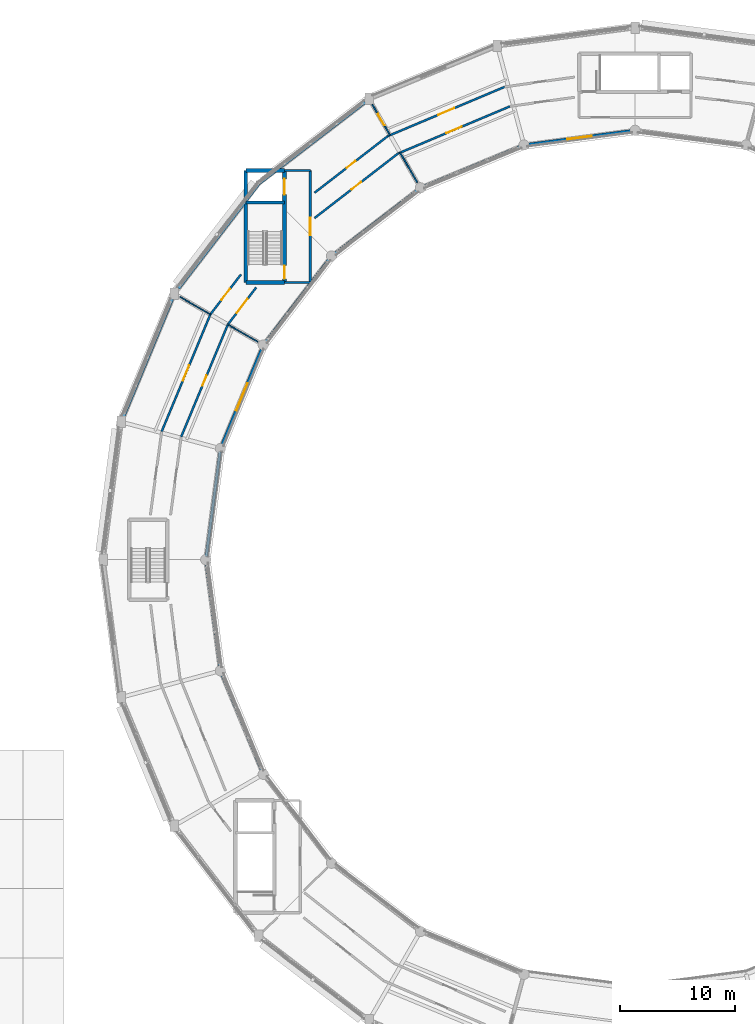
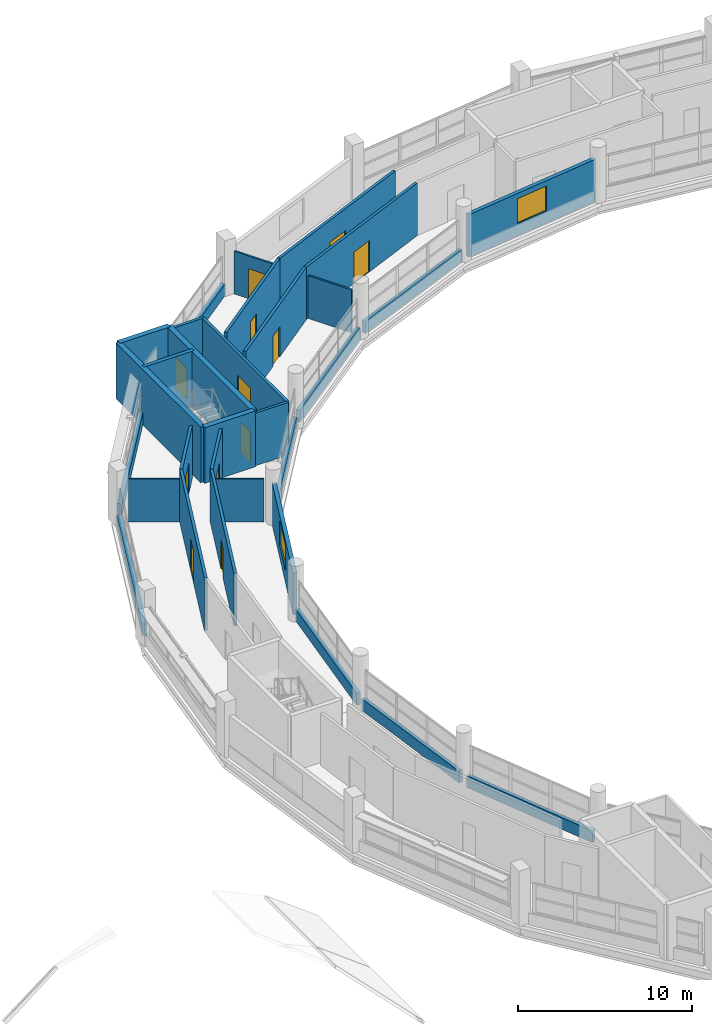
# One storey, part 46 of 53: 31 walls, 12 doors, 2 windows, 14 openings.
"""IFC4 building model written with IfcOpenShell, lengths in metres."""

from ifc_helpers import new_model, si_unit, direction, frame, frame_2d, origin, place, context, subcontext, project, spatial, rectangle, extrude, material, layer, layer_set, type_object, element, fill, save


model = new_model("IFC4")

# Units and contexts
model_context = context("Model", 3, precision=1e-05, world=origin(), true_north=direction((0.0, 1.0)))
body_context = subcontext(model_context, "Body", "Model", "MODEL_VIEW")
ifc_project = project(units=[si_unit("LENGTHUNIT", "METRE"), si_unit("AREAUNIT", "SQUARE_METRE"), si_unit("VOLUMEUNIT", "CUBIC_METRE"), si_unit("PLANEANGLEUNIT", "RADIAN"), si_unit("MASSUNIT", "GRAM", prefix="KILO")], contexts=[model_context])

# Site, building, storey
site_placement = place(None, origin())
site = spatial("IfcSite", under=ifc_project, at=site_placement, CompositionType="ELEMENT")
building_placement = place(site_placement, origin())
building = spatial("IfcBuilding", under=site, at=building_placement, Name="Vespera Passage Community Centre", CompositionType="ELEMENT")
storey_placement = place(building_placement, frame((0.0, 0.0, 20.39990234375)))
storey = spatial("IfcBuildingStorey", under=building, at=storey_placement, Name="L05", CompositionType="ELEMENT", Elevation=20.39990234375)

# Wall, openings, doors
ifc_material_1 = material(Name="Concrete f'c 45 MPa", Category="concrete")
ifc_layer_1 = layer(ifc_material_1, 0.340087890625)
ifc_layer_set_1 = layer_set([ifc_layer_1], Name="Concrete f'c 45 MPa")
wall_type_1 = type_object("IfcWallType", Name="WT-CORE-340I", PredefinedType="SHEAR", material=ifc_layer_set_1)
wall_1_placement = place(storey_placement, frame((47.60302734375, 99.238037109375, 0.0), z_axis=(0.0, 0.0, 1.0), x_axis=(0.0, -1.0, 0.0)))
wall_1 = element("IfcWall", 1, at=wall_1_placement, inside=storey, type_object=wall_type_1, Name="Core C1 L05 Shear Wall FRONT", PredefinedType="SHEAR", context=body_context, shape_type="SweptSolid", body=[
    extrude(rectangle(XDim=9.72998046875, YDim=0.340087890625, at=frame_2d((4.864990234375, 0.0))), origin(), (0.0, 0.0, 1.0), 3.900146484375),
])
opening_1_placement = place(wall_1_placement, frame((8.264892578125, 0.0, 0.0)))
opening_1 = element("IfcOpeningElement", 2, at=opening_1_placement, cuts=wall_1, Name="Opening DT-STAIR-90", PredefinedType="OPENING", context=body_context, shape_type="SweptSolid", body=[
    extrude(rectangle(XDim=1.14990234375, YDim=2.14990234375, at=frame_2d((0.574951171875, 1.074951171875))), frame((0.0, 0.179931640625, 0.0), z_axis=(0.0, -1.0, 0.0), x_axis=(1.0, 0.0, 0.0)), (0.0, 0.0, 1.0), 0.360107421875),
])
opening_2_placement = place(wall_1_placement, frame((0.7451171875, 0.0, 0.0)))
opening_2 = element("IfcOpeningElement", 3, at=opening_2_placement, cuts=wall_1, Name="Opening DT-LIFT-135", PredefinedType="OPENING", context=body_context, shape_type="SweptSolid", body=[
    extrude(rectangle(XDim=1.35009765625, YDim=2.14990234375, at=frame_2d((0.675048828125, 1.074951171875))), frame((0.0, 0.179931640625, 0.0), z_axis=(0.0, -1.0, 0.0), x_axis=(1.0, 0.0, 0.0)), (0.0, 0.0, 1.0), 0.360107421875),
])
ifc_material_2 = material(Name="Painted hollow-metal acoustic door", Category="steel")
door_type_1 = type_object("IfcDoorType", Name="DT-LIFT-135", OperationType="NOTDEFINED", PredefinedType="DOOR", material=ifc_material_2)
door_1_placement = place(opening_2_placement, origin())
door_1 = element("IfcDoor", 4, at=door_1_placement, inside=storey, type_object=door_type_1, Name="Elevator EL-03 L05 Landing Door LD-007", OperationType="SLIDING_TO_LEFT", OverallHeight=2.14990234375, OverallWidth=1.35009765625, PredefinedType="DOOR", context=body_context, shape_type="SweptSolid", body=[
    extrude(rectangle(XDim=1.35009765625, YDim=2.14990234375, at=frame_2d((0.675048828125, 1.074951171875))), frame((0.0, 0.02490234375, 0.0), z_axis=(0.0, -1.0, 0.0), x_axis=(1.0, 0.0, 0.0)), (0.0, 0.0, 1.0), 0.050048828125),
])
fill(opening_2, door_1)
ifc_material_3 = material(Name="Painted hollow-metal acoustic door", Category="steel")
door_type_2 = type_object("IfcDoorType", Name="DT-STAIR-90", OperationType="NOTDEFINED", PredefinedType="DOOR", material=ifc_material_3)
door_2_placement = place(opening_1_placement, origin())
door_2 = element("IfcDoor", 5, at=door_2_placement, inside=storey, type_object=door_type_2, Name="Core C1 L05 Exit Stair Door D-060", OperationType="SINGLE_SWING_RIGHT", OverallHeight=2.14990234375, OverallWidth=1.14990234375, PredefinedType="DOOR", context=body_context, shape_type="SweptSolid", body=[
    extrude(rectangle(XDim=1.14990234375, YDim=2.14990234375, at=frame_2d((0.574951171875, 1.074951171875))), frame((0.0, 0.02490234375, 0.0), z_axis=(0.0, -1.0, 0.0), x_axis=(1.0, 0.0, 0.0)), (0.0, 0.0, 1.0), 0.050048828125),
])
fill(opening_1, door_2)

# Walls
wall_2_placement = place(storey_placement, frame((47.60302734375, 89.508056640625, 0.0), z_axis=(0.0, 0.0, 1.0), x_axis=(-1.0, 0.0, 0.0)))
element("IfcWall", 6, at=wall_2_placement, inside=storey, type_object=wall_type_1, Name="Core C1 L05 Shear Wall LEFT", PredefinedType="SHEAR", context=body_context, shape_type="SweptSolid", body=[
    extrude(rectangle(XDim=3.340087890625, YDim=0.340087890625, at=frame_2d((1.669921875, 0.0))), origin(), (0.0, 0.0, 1.0), 3.900146484375),
])
wall_3_placement = place(storey_placement, frame((44.262939453125, 89.508056640625, 0.0), z_axis=(0.0, 0.0, 1.0), x_axis=(0.0, 1.0, 0.0)))
element("IfcWall", 7, at=wall_3_placement, inside=storey, type_object=wall_type_1, Name="Core C1 L05 Shear Wall BACK", PredefinedType="SHEAR", context=body_context, shape_type="SweptSolid", body=[
    extrude(rectangle(XDim=9.72998046875, YDim=0.340087890625, at=frame_2d((4.864990234375, 0.0))), origin(), (0.0, 0.0, 1.0), 3.900146484375),
])
wall_4_placement = place(storey_placement, frame((44.262939453125, 99.238037109375, 0.0), z_axis=(0.0, 0.0, 1.0), x_axis=(1.0, 0.0, 0.0)))
element("IfcWall", 8, at=wall_4_placement, inside=storey, type_object=wall_type_1, Name="Core C1 L05 Shear Wall RIGHT", PredefinedType="SHEAR", context=body_context, shape_type="SweptSolid", body=[
    extrude(rectangle(XDim=3.340087890625, YDim=0.340087890625, at=frame_2d((1.669921875, 0.0))), origin(), (0.0, 0.0, 1.0), 3.900146484375),
])

# Wall, opening, door
ifc_material_4 = material(Name="Gypsum board acoustic stud partition")
ifc_layer_2 = layer(ifc_material_4, 0.179931640625)
ifc_layer_set_2 = layer_set([ifc_layer_2], Name="Gypsum board acoustic stud partition")
wall_type_2 = type_object("IfcWallType", Name="WT-CORR-180I", PredefinedType="PARTITIONING", material=ifc_layer_set_2)
wall_5_placement = place(storey_placement, frame((49.85302734375, 89.508056640625, 0.0), z_axis=(0.0, 0.0, 1.0), x_axis=(0.0, 1.0, 0.0)))
wall_5 = element("IfcWall", 9, at=wall_5_placement, inside=storey, type_object=wall_type_2, Name="Core C1 L05 Lift Lobby Front Wall", PredefinedType="PARTITIONING", context=body_context, shape_type="SweptSolid", body=[
    extrude(rectangle(XDim=9.72998046875, YDim=0.179931640625, at=frame_2d((4.864990234375, 0.0))), origin(), (0.0, 0.0, 1.0), 3.675048828125),
])
opening_3_placement = place(wall_5_placement, frame((4.114990234375, 0.0, 0.0)))
opening_3 = element("IfcOpeningElement", 10, at=opening_3_placement, cuts=wall_5, Name="Opening DT-CORR-150", PredefinedType="OPENING", context=body_context, shape_type="SweptSolid", body=[
    extrude(rectangle(XDim=1.5, YDim=2.14990234375, at=frame_2d((0.75, 1.074951171875))), frame((0.0, 0.099853515625, 0.0), z_axis=(0.0, -1.0, 0.0), x_axis=(1.0, 0.0, 0.0)), (0.0, 0.0, 1.0), 0.199951171875),
])
ifc_material_5 = material(Name="Painted hollow-metal acoustic door", Category="steel")
door_type_3 = type_object("IfcDoorType", Name="DT-CORR-150", OperationType="NOTDEFINED", PredefinedType="DOOR", material=ifc_material_5)
door_3_placement = place(opening_3_placement, origin())
door_3 = element("IfcDoor", 11, at=door_3_placement, inside=storey, type_object=door_type_3, Name="Core C1 L05 Lift Lobby Door D-061", OperationType="SINGLE_SWING_LEFT", OverallHeight=2.14990234375, OverallWidth=1.5, PredefinedType="DOOR", context=body_context, shape_type="SweptSolid", body=[
    extrude(rectangle(XDim=1.5, YDim=2.14990234375, at=frame_2d((0.75, 1.074951171875))), frame((0.0, 0.02490234375, 0.0), z_axis=(0.0, -1.0, 0.0), x_axis=(1.0, 0.0, 0.0)), (0.0, 0.0, 1.0), 0.050048828125),
])
fill(opening_3, door_3)

# Walls
for number, where, z_axis, x_axis, name in (
    (12, (47.60302734375, 89.508056640625, 0.0), (0.0, 0.0, 1.0), (1.0, 0.0, 0.0), "Core C1 L05 Lift Lobby Side Wall L"),
    (13, (47.60302734375, 99.238037109375, 0.0), (0.0, 0.0, 1.0), (1.0, 0.0, 0.0), "Core C1 L05 Lift Lobby Side Wall R"),
):
    element("IfcWall", number, at=place(storey_placement, frame(where, z_axis=z_axis, x_axis=x_axis)), inside=storey, type_object=wall_type_2, Name=name, PredefinedType="PARTITIONING", context=body_context, shape_type="SweptSolid", body=[
        extrude(rectangle(XDim=2.25, YDim=0.179931640625, at=frame_2d((1.125, 0.0))), origin(), (0.0, 0.0, 1.0), 3.675048828125),
    ])

# Wall, opening, door
wall_6_placement = place(storey_placement, frame((66.693359375, 106.468505859375, 0.0), z_axis=(0.0, 0.0, 1.0), x_axis=(-0.921475136231, -0.388437347983, 0.0)))
wall_6 = element("IfcWall", 14, at=wall_6_placement, inside=storey, type_object=wall_type_2, Name="L05 Interior Partition V4-L05-CO05.1", PredefinedType="PARTITIONING", context=body_context, shape_type="SweptSolid", body=[
    extrude(rectangle(XDim=10.98974609375, YDim=0.179931640625, at=frame_2d((5.494873046875, 0.0))), origin(), (0.0, 0.0, 1.0), 3.675048828125),
])
opening_4_placement = place(wall_6_placement, frame((4.744873046875, 0.0, 0.0)))
opening_4 = element("IfcOpeningElement", 15, at=opening_4_placement, cuts=wall_6, Name="Opening DT-CORR-150", PredefinedType="OPENING", context=body_context, shape_type="SweptSolid", body=[
    extrude(rectangle(XDim=1.5, YDim=2.14990234375, at=frame_2d((0.75, 1.074951171875))), frame((0.0, 0.099853515625, 0.0), z_axis=(0.0, -1.0, 0.0), x_axis=(1.0, 0.0, 0.0)), (0.0, 0.0, 1.0), 0.199951171875),
])
door_4_placement = place(opening_4_placement, origin())
door_4 = element("IfcDoor", 16, at=door_4_placement, inside=storey, type_object=door_type_3, Name="L05 Interior Door D-305", OperationType="SINGLE_SWING_LEFT", OverallHeight=2.14990234375, OverallWidth=1.5, PredefinedType="DOOR", context=body_context, shape_type="SweptSolid", body=[
    extrude(rectangle(XDim=1.5, YDim=2.14990234375, at=frame_2d((0.75, 1.074951171875))), frame((0.0, 0.02490234375, 0.0), z_axis=(0.0, -1.0, 0.0), x_axis=(1.0, 0.0, 0.0)), (0.0, 0.0, 1.0), 0.050048828125),
])
fill(opening_4, door_4)

wall_7_placement = place(storey_placement, frame((67.158935546875, 104.781494140625, 0.0), z_axis=(0.0, 0.0, 1.0), x_axis=(-0.921475236199, -0.388437110832, 0.0)))
wall_7 = element("IfcWall", 17, at=wall_7_placement, inside=storey, type_object=wall_type_2, Name="L05 Interior Partition V4-L05-CI05.1", PredefinedType="PARTITIONING", context=body_context, shape_type="SweptSolid", body=[
    extrude(rectangle(XDim=10.537109375, YDim=0.179931640625, at=frame_2d((5.2685546875, 0.0))), origin(), (0.0, 0.0, 1.0), 3.675048828125),
])
opening_5_placement = place(wall_7_placement, frame((4.543701171875, 0.0, 0.0)))
opening_5 = element("IfcOpeningElement", 18, at=opening_5_placement, cuts=wall_7, Name="Opening DT-PLANT-145", PredefinedType="OPENING", context=body_context, shape_type="SweptSolid", body=[
    extrude(rectangle(XDim=1.449951171875, YDim=2.199951171875, at=frame_2d((0.72509765625, 1.10009765625))), frame((0.0, 0.099853515625, 0.0), z_axis=(0.0, -1.0, 0.0), x_axis=(1.0, 0.0, 0.0)), (0.0, 0.0, 1.0), 0.199951171875),
])
ifc_material_6 = material(Name="Painted hollow-metal acoustic door", Category="steel")
door_type_4 = type_object("IfcDoorType", Name="DT-PLANT-145", OperationType="NOTDEFINED", PredefinedType="DOOR", material=ifc_material_6)
door_5_placement = place(opening_5_placement, origin())
door_5 = element("IfcDoor", 19, at=door_5_placement, inside=storey, type_object=door_type_4, Name="L05 Interior Door D-306", OperationType="SINGLE_SWING_RIGHT", OverallHeight=2.199951171875, OverallWidth=1.449951171875, PredefinedType="DOOR", context=body_context, shape_type="SweptSolid", body=[
    extrude(rectangle(XDim=1.449951171875, YDim=2.199951171875, at=frame_2d((0.72509765625, 1.10009765625))), frame((0.0, 0.02490234375, 0.0), z_axis=(0.0, -1.0, 0.0), x_axis=(1.0, 0.0, 0.0)), (0.0, 0.0, 1.0), 0.050048828125),
])
fill(opening_5, door_5)

wall_8_placement = place(storey_placement, frame((56.566650390625, 102.19970703125, 0.0), z_axis=(0.0, 0.0, 1.0), x_axis=(-0.791072038265, -0.611723001264, 0.0)))
wall_8 = element("IfcWall", 20, at=wall_8_placement, inside=storey, type_object=wall_type_2, Name="L05 Interior Partition V4-L05-CO06.1", PredefinedType="PARTITIONING", context=body_context, shape_type="SweptSolid", body=[
    extrude(rectangle(XDim=8.019287109375, YDim=0.179931640625, at=frame_2d((4.009765625, 0.0))), origin(), (0.0, 0.0, 1.0), 3.675048828125),
])
opening_6_placement = place(wall_8_placement, frame((3.53466796875, 0.0, 0.0)))
opening_6 = element("IfcOpeningElement", 21, at=opening_6_placement, cuts=wall_8, Name="Opening DT-CORR-95", PredefinedType="OPENING", context=body_context, shape_type="SweptSolid", body=[
    extrude(rectangle(XDim=0.949951171875, YDim=2.10009765625, at=frame_2d((0.47509765625, 1.050048828125))), frame((0.0, 0.099853515625, 0.0), z_axis=(0.0, -1.0, 0.0), x_axis=(1.0, 0.0, 0.0)), (0.0, 0.0, 1.0), 0.199951171875),
])
ifc_material_7 = material(Name="Painted hollow-metal acoustic door", Category="steel")
door_type_5 = type_object("IfcDoorType", Name="DT-CORR-95", OperationType="NOTDEFINED", PredefinedType="DOOR", material=ifc_material_7)
door_6_placement = place(opening_6_placement, origin())
door_6 = element("IfcDoor", 22, at=door_6_placement, inside=storey, type_object=door_type_5, Name="L05 Interior Door D-307", OperationType="SINGLE_SWING_LEFT", OverallHeight=2.10009765625, OverallWidth=0.949951171875, PredefinedType="DOOR", context=body_context, shape_type="SweptSolid", body=[
    extrude(rectangle(XDim=0.949951171875, YDim=2.10009765625, at=frame_2d((0.47509765625, 1.050048828125))), frame((0.0, 0.02490234375, 0.0), z_axis=(0.0, -1.0, 0.0), x_axis=(1.0, 0.0, 0.0)), (0.0, 0.0, 1.0), 0.050048828125),
])
fill(opening_6, door_6)

wall_9_placement = place(storey_placement, frame((57.44921875, 100.6884765625, 0.0), z_axis=(0.0, 0.0, 1.0), x_axis=(-0.791077471119, -0.611715975505, 0.0)))
wall_9 = element("IfcWall", 23, at=wall_9_placement, inside=storey, type_object=wall_type_2, Name="L05 Interior Partition V4-L05-CI06.1", PredefinedType="PARTITIONING", context=body_context, shape_type="SweptSolid", body=[
    extrude(rectangle(XDim=9.134765625, YDim=0.179931640625, at=frame_2d((4.5673828125, 0.0))), origin(), (0.0, 0.0, 1.0), 3.675048828125),
])
opening_7_placement = place(wall_9_placement, frame((4.04248046875, 0.0, 0.0)))
opening_7 = element("IfcOpeningElement", 24, at=opening_7_placement, cuts=wall_9, Name="Opening DT-CORR-105", PredefinedType="OPENING", context=body_context, shape_type="SweptSolid", body=[
    extrude(rectangle(XDim=1.050048828125, YDim=2.10009765625, at=frame_2d((0.52490234375, 1.050048828125))), frame((0.0, 0.099853515625, 0.0), z_axis=(0.0, -1.0, 0.0), x_axis=(1.0, 0.0, 0.0)), (0.0, 0.0, 1.0), 0.199951171875),
])
ifc_material_8 = material(Name="Painted hollow-metal acoustic door", Category="steel")
door_type_6 = type_object("IfcDoorType", Name="DT-CORR-105", OperationType="NOTDEFINED", PredefinedType="DOOR", material=ifc_material_8)
door_7_placement = place(opening_7_placement, origin())
door_7 = element("IfcDoor", 25, at=door_7_placement, inside=storey, type_object=door_type_6, Name="L05 Interior Door D-308", OperationType="SINGLE_SWING_RIGHT", OverallHeight=2.10009765625, OverallWidth=1.050048828125, PredefinedType="DOOR", context=body_context, shape_type="SweptSolid", body=[
    extrude(rectangle(XDim=1.050048828125, YDim=2.10009765625, at=frame_2d((0.52490234375, 1.050048828125))), frame((0.0, 0.02490234375, 0.0), z_axis=(0.0, -1.0, 0.0), x_axis=(1.0, 0.0, 0.0)), (0.0, 0.0, 1.0), 0.050048828125),
])
fill(opening_7, door_7)

wall_10_placement = place(storey_placement, frame((43.843017578125, 90.211181640625, 0.0), z_axis=(0.0, 0.0, 1.0), x_axis=(-0.607795177302, -0.794093837307, 0.0)))
wall_10 = element("IfcWall", 26, at=wall_10_placement, inside=storey, type_object=wall_type_2, Name="L05 Interior Partition V4-L05-CO07.1", PredefinedType="PARTITIONING", context=body_context, shape_type="SweptSolid", body=[
    extrude(rectangle(XDim=4.358642578125, YDim=0.179931640625, at=frame_2d((2.17919921875, 0.0))), origin(), (0.0, 0.0, 1.0), 3.675048828125),
])
opening_8_placement = place(wall_10_placement, frame((1.579345703125, 0.0, 0.0)))
opening_8 = element("IfcOpeningElement", 27, at=opening_8_placement, cuts=wall_10, Name="Opening DT-CORR-120", PredefinedType="OPENING", context=body_context, shape_type="SweptSolid", body=[
    extrude(rectangle(XDim=1.199951171875, YDim=2.14990234375, at=frame_2d((0.60009765625, 1.074951171875))), frame((0.0, 0.099853515625, 0.0), z_axis=(0.0, -1.0, 0.0), x_axis=(1.0, 0.0, 0.0)), (0.0, 0.0, 1.0), 0.199951171875),
])
ifc_material_9 = material(Name="Painted hollow-metal acoustic door", Category="steel")
door_type_7 = type_object("IfcDoorType", Name="DT-CORR-120", OperationType="NOTDEFINED", PredefinedType="DOOR", material=ifc_material_9)
door_8_placement = place(opening_8_placement, origin())
door_8 = element("IfcDoor", 28, at=door_8_placement, inside=storey, type_object=door_type_7, Name="L05 Interior Door D-309", OperationType="SINGLE_SWING_LEFT", OverallHeight=2.14990234375, OverallWidth=1.199951171875, PredefinedType="DOOR", context=body_context, shape_type="SweptSolid", body=[
    extrude(rectangle(XDim=1.199951171875, YDim=2.14990234375, at=frame_2d((0.60009765625, 1.074951171875))), frame((0.0, 0.02490234375, 0.0), z_axis=(0.0, -1.0, 0.0), x_axis=(1.0, 0.0, 0.0)), (0.0, 0.0, 1.0), 0.050048828125),
])
fill(opening_8, door_8)

wall_11_placement = place(storey_placement, frame((45.16845703125, 89.087890625, 0.0), z_axis=(0.0, 0.0, 1.0), x_axis=(-0.607772588398, -0.794111126223, 0.0)))
wall_11 = element("IfcWall", 29, at=wall_11_placement, inside=storey, type_object=wall_type_2, Name="L05 Interior Partition V4-L05-CI07.1", PredefinedType="PARTITIONING", context=body_context, shape_type="SweptSolid", body=[
    extrude(rectangle(XDim=4.0458984375, YDim=0.179931640625, at=frame_2d((2.02294921875, 0.0))), origin(), (0.0, 0.0, 1.0), 3.675048828125),
])
opening_9_placement = place(wall_11_placement, frame((1.27294921875, 0.0, 0.0)))
opening_9 = element("IfcOpeningElement", 30, at=opening_9_placement, cuts=wall_11, Name="Opening DT-CORR-150", PredefinedType="OPENING", context=body_context, shape_type="SweptSolid", body=[
    extrude(rectangle(XDim=1.5, YDim=2.14990234375, at=frame_2d((0.75, 1.074951171875))), frame((0.0, 0.099853515625, 0.0), z_axis=(0.0, -1.0, 0.0), x_axis=(1.0, 0.0, 0.0)), (0.0, 0.0, 1.0), 0.199951171875),
])
door_9_placement = place(opening_9_placement, origin())
door_9 = element("IfcDoor", 31, at=door_9_placement, inside=storey, type_object=door_type_3, Name="L05 Interior Door D-310", OperationType="SINGLE_SWING_RIGHT", OverallHeight=2.14990234375, OverallWidth=1.5, PredefinedType="DOOR", context=body_context, shape_type="SweptSolid", body=[
    extrude(rectangle(XDim=1.5, YDim=2.14990234375, at=frame_2d((0.75, 1.074951171875))), frame((0.0, 0.02490234375, 0.0), z_axis=(0.0, -1.0, 0.0), x_axis=(1.0, 0.0, 0.0)), (0.0, 0.0, 1.0), 0.050048828125),
])
fill(opening_9, door_9)

wall_12_placement = place(storey_placement, frame((41.19384765625, 86.75, 0.0), z_axis=(0.0, 0.0, 1.0), x_axis=(-0.383836003099, -0.923401279361, 0.0)))
wall_12 = element("IfcWall", 32, at=wall_12_placement, inside=storey, type_object=wall_type_2, Name="L05 Interior Partition V4-L05-CO08.1", PredefinedType="PARTITIONING", context=body_context, shape_type="SweptSolid", body=[
    extrude(rectangle(XDim=10.98974609375, YDim=0.179931640625, at=frame_2d((5.494873046875, 0.0))), origin(), (0.0, 0.0, 1.0), 3.675048828125),
])
opening_10_placement = place(wall_12_placement, frame((4.769775390625, 0.0, 0.0)))
opening_10 = element("IfcOpeningElement", 33, at=opening_10_placement, cuts=wall_12, Name="Opening DT-PLANT-145", PredefinedType="OPENING", context=body_context, shape_type="SweptSolid", body=[
    extrude(rectangle(XDim=1.449951171875, YDim=2.199951171875, at=frame_2d((0.72509765625, 1.10009765625))), frame((0.0, 0.099853515625, 0.0), z_axis=(0.0, -1.0, 0.0), x_axis=(1.0, 0.0, 0.0)), (0.0, 0.0, 1.0), 0.199951171875),
])
door_10_placement = place(opening_10_placement, origin())
door_10 = element("IfcDoor", 34, at=door_10_placement, inside=storey, type_object=door_type_4, Name="L05 Interior Door D-311", OperationType="SINGLE_SWING_LEFT", OverallHeight=2.199951171875, OverallWidth=1.449951171875, PredefinedType="DOOR", context=body_context, shape_type="SweptSolid", body=[
    extrude(rectangle(XDim=1.449951171875, YDim=2.199951171875, at=frame_2d((0.72509765625, 1.10009765625))), frame((0.0, 0.02490234375, 0.0), z_axis=(0.0, -1.0, 0.0), x_axis=(1.0, 0.0, 0.0)), (0.0, 0.0, 1.0), 0.050048828125),
])
fill(opening_10, door_10)

wall_13_placement = place(storey_placement, frame((42.70947265625, 85.875, 0.0), z_axis=(0.0, 0.0, 1.0), x_axis=(-0.383848603004, -0.923396041778, 0.0)))
wall_13 = element("IfcWall", 35, at=wall_13_placement, inside=storey, type_object=wall_type_2, Name="L05 Interior Partition V4-L05-CI08.1", PredefinedType="PARTITIONING", context=body_context, shape_type="SweptSolid", body=[
    extrude(rectangle(XDim=10.537109375, YDim=0.179931640625, at=frame_2d((5.2685546875, 0.0))), origin(), (0.0, 0.0, 1.0), 3.675048828125),
])
opening_11_placement = place(wall_13_placement, frame((4.793701171875, 0.0, 0.0)))
opening_11 = element("IfcOpeningElement", 36, at=opening_11_placement, cuts=wall_13, Name="Opening DT-CORR-95", PredefinedType="OPENING", context=body_context, shape_type="SweptSolid", body=[
    extrude(rectangle(XDim=0.949951171875, YDim=2.10009765625, at=frame_2d((0.47509765625, 1.050048828125))), frame((0.0, 0.099853515625, 0.0), z_axis=(0.0, -1.0, 0.0), x_axis=(1.0, 0.0, 0.0)), (0.0, 0.0, 1.0), 0.199951171875),
])
door_11_placement = place(opening_11_placement, origin())
door_11 = element("IfcDoor", 37, at=door_11_placement, inside=storey, type_object=door_type_5, Name="L05 Interior Door D-312", OperationType="SINGLE_SWING_RIGHT", OverallHeight=2.10009765625, OverallWidth=0.949951171875, PredefinedType="DOOR", context=body_context, shape_type="SweptSolid", body=[
    extrude(rectangle(XDim=0.949951171875, YDim=2.10009765625, at=frame_2d((0.47509765625, 1.050048828125))), frame((0.0, 0.02490234375, 0.0), z_axis=(0.0, -1.0, 0.0), x_axis=(1.0, 0.0, 0.0)), (0.0, 0.0, 1.0), 0.050048828125),
])
fill(opening_11, door_11)

# Wall
ifc_material_10 = material(Name="Concrete f'c 45 MPa", Category="concrete")
ifc_layer_3 = layer(ifc_material_10, 0.239990234375)
ifc_layer_set_3 = layer_set([ifc_layer_3], Name="Concrete f'c 45 MPa")
wall_type_3 = type_object("IfcWallType", Name="WT-DIV-240I", PredefinedType="SHEAR", material=ifc_layer_set_3)
wall_14_placement = place(storey_placement, frame((47.60302734375, 96.447998046875, 0.0), z_axis=(0.0, 0.0, 1.0), x_axis=(-1.0, 0.0, 0.0)))
element("IfcWall", 38, at=wall_14_placement, inside=storey, type_object=wall_type_3, Name="Core C1 L05 Hoistway Divider Wall", PredefinedType="SHEAR", context=body_context, shape_type="SweptSolid", body=[
    extrude(rectangle(XDim=3.340087890625, YDim=0.239990234375, at=frame_2d((1.669921875, 0.0))), origin(), (0.0, 0.0, 1.0), 3.900146484375),
])

# Wall, opening, window
ifc_material_11 = material(Name="Precast concrete f'c 40 MPa", Category="concrete")
ifc_layer_4 = layer(ifc_material_11, 0.25)
ifc_layer_set_4 = layer_set([ifc_layer_4], Name="Precast concrete f'c 40 MPa")
wall_type_4 = type_object("IfcWallType", Name="WT-EXT-250E", PredefinedType="STANDARD", material=ifc_layer_set_4)
wall_15_placement = place(storey_placement, frame((77.724853515625, 102.663818359375, 0.0), z_axis=(0.0, 0.0, 1.0), x_axis=(-0.991441766434, -0.130549698469, 0.0)))
wall_15 = element("IfcWall", 39, at=wall_15_placement, inside=storey, type_object=wall_type_4, Name="V4 L05 Inner Court Precast Wall 6", PredefinedType="STANDARD", context=body_context, shape_type="SweptSolid", body=[
    extrude(rectangle(XDim=9.156005859375, YDim=0.25, at=frame_2d((4.578125, 0.0))), origin(), (0.0, 0.0, 1.0), 2.969482421875),
])
opening_12_placement = place(wall_15_placement, frame((3.528076171875, 0.0, 0.85009765625)))
opening_12 = element("IfcOpeningElement", 40, at=opening_12_placement, cuts=wall_15, Name="Opening WN-22E", PredefinedType="OPENING", context=body_context, shape_type="SweptSolid", body=[
    extrude(rectangle(XDim=2.10009765625, YDim=1.75, at=frame_2d((1.050048828125, 0.875))), frame((0.0, 0.135009765625, 0.0), z_axis=(0.0, -1.0, 0.0), x_axis=(1.0, 0.0, 0.0)), (0.0, 0.0, 1.0), 0.27001953125),
])
ifc_material_12 = material(Name="Low-E insulated vision glass", Category="glass")
window_type_1 = type_object("IfcWindowType", Name="WN-22E", PartitioningType="SINGLE_PANEL", PredefinedType="WINDOW", material=ifc_material_12)
window_1_placement = place(opening_12_placement, origin())
window_1 = element("IfcWindow", 41, at=window_1_placement, inside=storey, type_object=window_type_1, Name="Window WN-V4-L05-I06", OverallHeight=1.75, OverallWidth=2.10009765625, PartitioningType="SINGLE_PANEL", PredefinedType="WINDOW", context=body_context, shape_type="SweptSolid", body=[
    extrude(rectangle(XDim=2.10009765625, YDim=1.75, at=frame_2d((1.050048828125, 0.875))), frame((0.0, 0.030029296875, 0.0), z_axis=(0.0, -1.0, 0.0), x_axis=(1.0, 0.0, 0.0)), (0.0, 0.0, 1.0), 0.06005859375),
])
fill(opening_12, window_1)

# Walls
wall_16_placement = place(storey_placement, frame((68.094970703125, 101.317626953125, 0.0), z_axis=(0.0, 0.0, 1.0), x_axis=(-0.923880324771, -0.382681519675, 0.0)))
element("IfcWall", 42, at=wall_16_placement, inside=storey, type_object=wall_type_4, Name="V4 L05 Court Spandrel Wall I7", PredefinedType="STANDARD", context=body_context, shape_type="SweptSolid", body=[
    extrude(rectangle(XDim=9.111572265625, YDim=0.25, at=frame_2d((4.5556640625, 0.0))), origin(), (0.0, 0.0, 1.0), 0.820068359375),
])
for number, where, z_axis, x_axis, name in (
    (43, (59.119873046875, 97.501220703125, 0.0), (0.0, 0.0, 1.0), (-0.793347085527, -0.608769580289, 0.0), "V4 L05 Court Spandrel Wall I8"),
    (44, (51.480712890625, 91.524169921875, 0.0), (0.0, 0.0, 1.0), (-0.608769580289, -0.793347085527, 0.0), "V4 L05 Court Spandrel Wall I9"),
):
    element("IfcWall", number, at=place(storey_placement, frame(where, z_axis=z_axis, x_axis=x_axis)), inside=storey, type_object=wall_type_4, Name=name, PredefinedType="STANDARD", context=body_context, shape_type="SweptSolid", body=[
        extrude(rectangle(XDim=9.0048828125, YDim=0.25, at=frame_2d((4.50244140625, 0.0))), origin(), (0.0, 0.0, 1.0), 0.820068359375),
    ])

# Wall, opening, window
wall_17_placement = place(storey_placement, frame((45.669189453125, 83.822998046875, 0.0), z_axis=(0.0, 0.0, 1.0), x_axis=(-0.382681519675, -0.923880324771, 0.0)))
wall_17 = element("IfcWall", 45, at=wall_17_placement, inside=storey, type_object=wall_type_4, Name="V4 L05 Inner Court Precast Wall 10", PredefinedType="STANDARD", context=body_context, shape_type="SweptSolid", body=[
    extrude(rectangle(XDim=9.111572265625, YDim=0.25, at=frame_2d((4.5556640625, 0.0))), origin(), (0.0, 0.0, 1.0), 2.929443359375),
])
opening_13_placement = place(wall_17_placement, frame((3.281005859375, 0.0, 0.85009765625)))
opening_13 = element("IfcOpeningElement", 46, at=opening_13_placement, cuts=wall_17, Name="Opening WN-24E", PredefinedType="OPENING", context=body_context, shape_type="SweptSolid", body=[
    extrude(rectangle(XDim=2.550048828125, YDim=1.75, at=frame_2d((1.27490234375, 0.875))), frame((0.0, 0.135009765625, 0.0), z_axis=(0.0, -1.0, 0.0), x_axis=(1.0, 0.0, 0.0)), (0.0, 0.0, 1.0), 0.27001953125),
])
ifc_material_13 = material(Name="Low-E insulated vision glass", Category="glass")
window_type_2 = type_object("IfcWindowType", Name="WN-24E", PartitioningType="SINGLE_PANEL", PredefinedType="WINDOW", material=ifc_material_13)
window_2_placement = place(opening_13_placement, origin())
window_2 = element("IfcWindow", 47, at=window_2_placement, inside=storey, type_object=window_type_2, Name="Window WN-V4-L05-I10", OverallHeight=1.75, OverallWidth=2.550048828125, PartitioningType="SINGLE_PANEL", PredefinedType="WINDOW", context=body_context, shape_type="SweptSolid", body=[
    extrude(rectangle(XDim=2.550048828125, YDim=1.75, at=frame_2d((1.27490234375, 0.875))), frame((0.0, 0.030029296875, 0.0), z_axis=(0.0, -1.0, 0.0), x_axis=(1.0, 0.0, 0.0)), (0.0, 0.0, 1.0), 0.06005859375),
])
fill(opening_13, window_2)

# Walls
for number, where, z_axis, x_axis, name in (
    (48, (42.031494140625, 74.852783203125, 0.0), (0.0, 0.0, 1.0), (-0.130549698469, -0.991441766434, 0.0), "V4 L05 Court Spandrel Wall I11"),
    (49, (40.836181640625, 65.224853515625, 0.0), (0.0, 0.0, 1.0), (0.130549698469, -0.991441766434, 0.0), "V4 L05 Court Spandrel Wall I12"),
):
    element("IfcWall", number, at=place(storey_placement, frame(where, z_axis=z_axis, x_axis=x_axis)), inside=storey, type_object=wall_type_4, Name=name, PredefinedType="STANDARD", context=body_context, shape_type="SweptSolid", body=[
        extrude(rectangle(XDim=9.156005859375, YDim=0.25, at=frame_2d((4.578125, 0.0))), origin(), (0.0, 0.0, 1.0), 0.820068359375),
    ])
wall_18_placement = place(storey_placement, frame((42.182373046875, 55.594970703125, 0.0), z_axis=(0.0, 0.0, 1.0), x_axis=(0.382681519675, -0.923880324771, 0.0)))
element("IfcWall", 50, at=wall_18_placement, inside=storey, type_object=wall_type_4, Name="V4 L05 Court Spandrel Wall I13", PredefinedType="STANDARD", context=body_context, shape_type="SweptSolid", body=[
    extrude(rectangle(XDim=9.111572265625, YDim=0.25, at=frame_2d((4.5556640625, 0.0))), origin(), (0.0, 0.0, 1.0), 0.820068359375),
])
ifc_material_14 = material(Name="Precast concrete f'c 40 MPa", Category="concrete")
ifc_layer_5 = layer(ifc_material_14, 0.280029296875)
ifc_layer_set_5 = layer_set([ifc_layer_5], Name="Precast concrete f'c 40 MPa")
wall_type_5 = type_object("IfcWallType", Name="WT-EXT-280E", PredefinedType="STANDARD", material=ifc_layer_set_5)
wall_19_placement = place(storey_placement, frame((45.40234375, 98.09765625, 0.0), z_axis=(0.0, 0.0, 1.0), x_axis=(0.793347191248, 0.608769442514, 0.0)))
element("IfcWall", 51, at=wall_19_placement, inside=storey, type_object=wall_type_5, Name="V4 L05 Spandrel Wall O8", PredefinedType="STANDARD", context=body_context, shape_type="SweptSolid", body=[
    extrude(rectangle(XDim=11.5869140625, YDim=0.280029296875, at=frame_2d((5.79345703125, 0.0))), origin(), (0.0, 0.0, 1.0), 0.820068359375),
])
wall_20_placement = place(storey_placement, frame((38.43603515625, 89.018798828125, 0.0), z_axis=(0.0, 0.0, 1.0), x_axis=(0.608753523874, 0.793359406052, 0.0)))
element("IfcWall", 52, at=wall_20_placement, inside=storey, type_object=wall_type_5, Name="V4 L05 Spandrel Wall O9", PredefinedType="STANDARD", context=body_context, shape_type="SweptSolid", body=[
    extrude(rectangle(XDim=11.443603515625, YDim=0.280029296875, at=frame_2d((5.7216796875, 0.0))), origin(), (0.0, 0.0, 1.0), 0.820068359375),
])
wall_21_placement = place(storey_placement, frame((33.668212890625, 77.908447265625, 0.0), z_axis=(0.0, 0.0, 1.0), x_axis=(0.382695413149, 0.923874569817, 0.0)))
element("IfcWall", 53, at=wall_21_placement, inside=storey, type_object=wall_type_5, Name="V4 L05 Spandrel Wall O10", PredefinedType="STANDARD", context=body_context, shape_type="SweptSolid", body=[
    extrude(rectangle(XDim=11.002197265625, YDim=0.280029296875, at=frame_2d((5.5009765625, 0.0))), origin(), (0.0, 0.0, 1.0), 0.820068359375),
])
ifc_material_15 = material(Name="Gypsum board stud partition")
ifc_layer_6 = layer(ifc_material_15, 0.10009765625)
ifc_layer_set_6 = layer_set([ifc_layer_6], Name="Gypsum board stud partition")
wall_type_6 = type_object("IfcWallType", Name="WT-LIGHT-100I", PredefinedType="PARTITIONING", material=ifc_layer_set_6)
wall_22_placement = place(storey_placement, frame((41.19384765625, 86.75, 0.0), z_axis=(0.0, 0.0, 1.0), x_axis=(-0.866037623948, 0.499978833458, 0.0)))
element("IfcWall", 54, at=wall_22_placement, inside=storey, type_object=wall_type_6, Name="L05 Interior Partition V4-L05-RO14-3.1", PredefinedType="PARTITIONING", context=body_context, shape_type="SweptSolid", body=[
    extrude(rectangle(XDim=3.050048828125, YDim=0.10009765625, at=frame_2d((1.52490234375, 0.0))), origin(), (0.0, 0.0, 1.0), 2.99658203125),
])
wall_23_placement = place(storey_placement, frame((45.3076171875, 84.375, 0.0), z_axis=(0.0, 0.0, 1.0), x_axis=(-0.866031096941, 0.499990139034, 0.0)))
element("IfcWall", 55, at=wall_23_placement, inside=storey, type_object=wall_type_6, Name="L05 Interior Partition V4-L05-RI14-3.1", PredefinedType="PARTITIONING", context=body_context, shape_type="SweptSolid", body=[
    extrude(rectangle(XDim=3.0, YDim=0.10009765625, at=frame_2d((1.5, 0.0))), origin(), (0.0, 0.0, 1.0), 2.99658203125),
])

# Wall, opening, door
ifc_material_16 = material(Name="Moisture-resistant gypsum stud partition")
ifc_layer_7 = layer(ifc_material_16, 0.1201171875)
ifc_layer_set_7 = layer_set([ifc_layer_7], Name="Moisture-resistant gypsum stud partition")
wall_type_7 = type_object("IfcWallType", Name="WT-WET-120I", PredefinedType="PARTITIONING", material=ifc_layer_set_7)
wall_24_placement = place(storey_placement, frame((56.75, 102.30615234375, 0.0), z_axis=(0.0, 0.0, 1.0), x_axis=(-0.499978833458, 0.866037623948, 0.0)))
wall_24 = element("IfcWall", 56, at=wall_24_placement, inside=storey, type_object=wall_type_7, Name="L05 Interior Partition V4-L05-RO14-2.1", PredefinedType="PARTITIONING", context=body_context, shape_type="SweptSolid", body=[
    extrude(rectangle(XDim=3.050048828125, YDim=0.1201171875, at=frame_2d((1.52490234375, 0.0))), origin(), (0.0, 0.0, 1.0), 2.99658203125),
])
opening_14_placement = place(wall_24_placement, frame((0.965087890625, 0.0, 0.0)))
opening_14 = element("IfcOpeningElement", 57, at=opening_14_placement, cuts=wall_24, Name="Opening DT-INT-112", PredefinedType="OPENING", context=body_context, shape_type="SweptSolid", body=[
    extrude(rectangle(XDim=1.1201171875, YDim=2.10009765625, at=frame_2d((0.56005859375, 1.050048828125))), frame((0.0, 0.070068359375, 0.0), z_axis=(0.0, -1.0, 0.0), x_axis=(1.0, 0.0, 0.0)), (0.0, 0.0, 1.0), 0.14013671875),
])
ifc_material_17 = material(Name="Solid-core maple veneer door", Category="wood")
door_type_8 = type_object("IfcDoorType", Name="DT-INT-112", OperationType="NOTDEFINED", PredefinedType="DOOR", material=ifc_material_17)
door_12_placement = place(opening_14_placement, origin())
door_12 = element("IfcDoor", 58, at=door_12_placement, inside=storey, type_object=door_type_8, Name="L05 Interior Door D-324", OperationType="SINGLE_SWING_RIGHT", OverallHeight=2.10009765625, OverallWidth=1.1201171875, PredefinedType="DOOR", context=body_context, shape_type="SweptSolid", body=[
    extrude(rectangle(XDim=1.1201171875, YDim=2.10009765625, at=frame_2d((0.56005859375, 1.050048828125))), frame((0.0, 0.02490234375, 0.0), z_axis=(0.0, -1.0, 0.0), x_axis=(1.0, 0.0, 0.0)), (0.0, 0.0, 1.0), 0.050048828125),
])
fill(opening_14, door_12)

# Wall
wall_25_placement = place(storey_placement, frame((59.125, 98.1923828125, 0.0), z_axis=(0.0, 0.0, 1.0), x_axis=(-0.499990139034, 0.866031096941, 0.0)))
element("IfcWall", 59, at=wall_25_placement, inside=storey, type_object=wall_type_7, Name="L05 Interior Partition V4-L05-RI14-2.1", PredefinedType="PARTITIONING", context=body_context, shape_type="SweptSolid", body=[
    extrude(rectangle(XDim=3.0, YDim=0.1201171875, at=frame_2d((1.5, 0.0))), origin(), (0.0, 0.0, 1.0), 2.99658203125),
])

save(model, "model.ifc")
